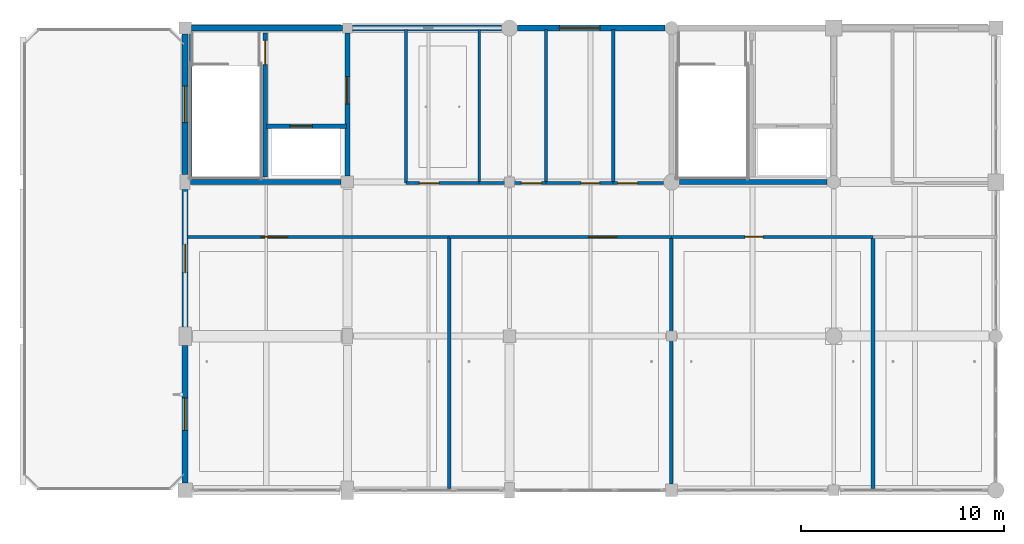
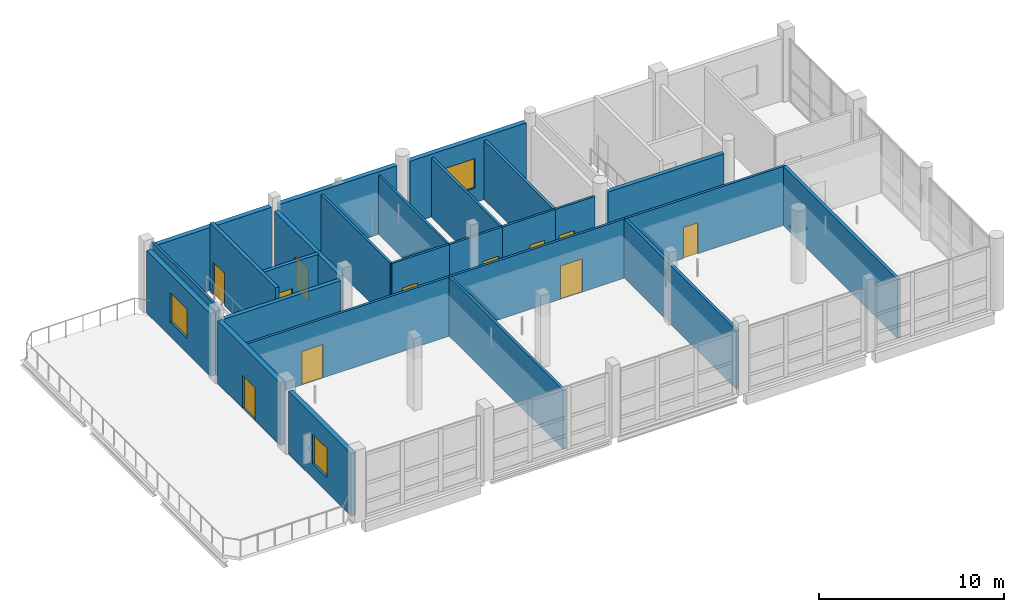
# One storey, part 12 of 18: 26 walls, 11 doors, 3 windows, 14 openings.
"""IFC4 building model written with IfcOpenShell, lengths in metres."""

from ifc_helpers import new_model, si_unit, direction, frame, frame_2d, origin, place, context, subcontext, project, spatial, rectangle, extrude, material, layer, layer_set, type_object, element, fill, save


model = new_model("IFC4")

# Units and contexts
model_context = context("Model", 3, precision=1e-05, world=origin(), true_north=direction((0.0, 1.0)))
body_context = subcontext(model_context, "Body", "Model", "MODEL_VIEW")
ifc_project = project(units=[si_unit("LENGTHUNIT", "METRE"), si_unit("AREAUNIT", "SQUARE_METRE"), si_unit("VOLUMEUNIT", "CUBIC_METRE"), si_unit("PLANEANGLEUNIT", "RADIAN"), si_unit("MASSUNIT", "GRAM", prefix="KILO")], contexts=[model_context])

# Site, building, storey
site_placement = place(None, origin())
site = spatial("IfcSite", under=ifc_project, at=site_placement, CompositionType="ELEMENT")
building_placement = place(site_placement, origin())
building = spatial("IfcBuilding", under=site, at=building_placement, Name="Khelvaren Railside Concert Hall", CompositionType="ELEMENT")
storey_placement = place(building_placement, frame((0.0, 0.0, 24.60009765625)))
storey = spatial("IfcBuildingStorey", under=building, at=storey_placement, Name="L05", CompositionType="ELEMENT", Elevation=24.60009765625)

# Walls
ifc_material_1 = material(Name="Concrete C40/50", Category="concrete")
ifc_layer_1 = layer(ifc_material_1, 0.139892578125)
ifc_layer_set_1 = layer_set([ifc_layer_1], Name="Concrete C40/50")
wall_type_1 = type_object("IfcWallType", Name="CW17", PredefinedType="SOLIDWALL", material=ifc_layer_set_1)
wall_1_placement = place(storey_placement, frame((144.27490234375, 106.550048828125, 0.0), z_axis=(0.0, 0.0, 1.0), x_axis=(0.0, 1.0, 0.0)))
element("IfcWall", 1, at=wall_1_placement, inside=storey, type_object=wall_type_1, Name="Core Shaft Structural Liner Wall ST-09-L05", PredefinedType="SOLIDWALL", context=body_context, shape_type="SweptSolid", body=[
    extrude(rectangle(XDim=7.300048828125, YDim=0.139892578125, at=frame_2d((3.64990234375, 0.0))), origin(), (0.0, 0.0, 1.0), 4.5498046875),
])
ifc_layer_2 = layer(ifc_material_1, 0.25)
ifc_layer_set_2 = layer_set([ifc_layer_2], Name="Concrete C40/50")
wall_type_2 = type_object("IfcWallType", Name="CW82", PredefinedType="SOLIDWALL", material=ifc_layer_set_2)
wall_2_placement = place(storey_placement, frame((144.25, 106.39990234375, 0.0), z_axis=(0.0, 0.0, 1.0), x_axis=(1.0, 0.0, 0.0)))
element("IfcWall", 2, at=wall_2_placement, inside=storey, type_object=wall_type_2, Name="Core Enclosure Wall CWALL-ST-09-L05-S", PredefinedType="SOLIDWALL", context=body_context, shape_type="SweptSolid", body=[
    extrude(rectangle(XDim=7.449951171875, YDim=0.25, at=frame_2d((3.72509765625, 0.0))), origin(), (0.0, 0.0, 1.0), 3.89990234375),
])

# Wall, opening, door
wall_3_placement = place(storey_placement, frame((152.0, 106.699951171875, 0.0), z_axis=(0.0, 0.0, 1.0), x_axis=(0.0, 1.0, 0.0)))
wall_3 = element("IfcWall", 3, at=wall_3_placement, inside=storey, type_object=wall_type_2, Name="Core Enclosure Wall CWALL-ST-09-L05-E", PredefinedType="SOLIDWALL", context=body_context, shape_type="SweptSolid", body=[
    extrude(rectangle(XDim=7.050048828125, YDim=0.25, at=frame_2d((3.52490234375, 0.0))), origin(), (0.0, 0.0, 1.0), 3.89990234375),
])
opening_1_placement = place(wall_3_placement, frame((3.550048828125, 0.0, 0.0)))
opening_1 = element("IfcOpeningElement", 4, at=opening_1_placement, cuts=wall_3, Name="Opening FDR34", PredefinedType="OPENING", context=body_context, shape_type="SweptSolid", body=[
    extrude(rectangle(XDim=1.35009765625, YDim=2.199951171875, at=frame_2d((0.675048828125, 1.10009765625))), frame((0.0, 0.135009765625, 0.0), z_axis=(0.0, -1.0, 0.0), x_axis=(1.0, 0.0, 0.0)), (0.0, 0.0, 1.0), 0.27001953125),
])
ifc_material_2 = material(Name="Acoustic fire-rated timber-core steel frame door", Category="steel")
door_type_1 = type_object("IfcDoorType", Name="FDR34", OperationType="NOTDEFINED", PredefinedType="DOOR", material=ifc_material_2)
door_1_placement = place(opening_1_placement, origin())
door_1 = element("IfcDoor", 5, at=door_1_placement, inside=storey, type_object=door_type_1, Name="Interior Door DR-ST-09-L05-LOB", OperationType="SINGLE_SWING_LEFT", OverallHeight=2.199951171875, OverallWidth=1.35009765625, PredefinedType="DOOR", context=body_context, shape_type="SweptSolid", body=[
    extrude(rectangle(XDim=1.35009765625, YDim=2.199951171875, at=frame_2d((0.675048828125, 1.10009765625))), frame((0.0, 0.02490234375, 0.0), z_axis=(0.0, -1.0, 0.0), x_axis=(1.0, 0.0, 0.0)), (0.0, 0.0, 1.0), 0.050048828125),
])
fill(opening_1, door_1)

# Wall
wall_4_placement = place(storey_placement, frame((168.39990234375, 106.39990234375, 0.0), z_axis=(0.0, 0.0, 1.0), x_axis=(1.0, 0.0, 0.0)))
element("IfcWall", 6, at=wall_4_placement, inside=storey, type_object=wall_type_2, Name="Core Enclosure Wall CWALL-ST-10-L05-S", PredefinedType="SOLIDWALL", context=body_context, shape_type="SweptSolid", body=[
    extrude(rectangle(XDim=7.275146484375, YDim=0.25, at=frame_2d((3.6376953125, 0.0))), origin(), (0.0, 0.0, 1.0), 3.89990234375),
])

# Wall, opening, door
ifc_layer_3 = layer(ifc_material_1, 0.219970703125)
ifc_layer_set_3 = layer_set([ifc_layer_3], Name="Concrete C40/50")
wall_type_3 = type_object("IfcWallType", Name="CW97", PredefinedType="SOLIDWALL", material=ifc_layer_set_3)
wall_5_placement = place(storey_placement, frame((147.949951171875, 106.64990234375, 0.0), z_axis=(0.0, 0.0, 1.0), x_axis=(0.0, 1.0, 0.0)))
wall_5 = element("IfcWall", 7, at=wall_5_placement, inside=storey, type_object=wall_type_3, Name="Core Enclosure Wall CWALL-ST-09-L05-MID", PredefinedType="SOLIDWALL", context=body_context, shape_type="SweptSolid", body=[
    extrude(rectangle(XDim=7.10009765625, YDim=0.219970703125, at=frame_2d((3.550048828125, 0.0))), origin(), (0.0, 0.0, 1.0), 4.5498046875),
])
opening_2_placement = place(wall_5_placement, frame((5.550048828125, 0.0, 0.0)))
opening_2 = element("IfcOpeningElement", 8, at=opening_2_placement, cuts=wall_5, Name="Opening FDR17", PredefinedType="OPENING", context=body_context, shape_type="SweptSolid", body=[
    extrude(rectangle(XDim=1.199951171875, YDim=2.14990234375, at=frame_2d((0.60009765625, 1.074951171875))), frame((0.0, 0.119873046875, 0.0), z_axis=(0.0, -1.0, 0.0), x_axis=(1.0, 0.0, 0.0)), (0.0, 0.0, 1.0), 0.239990234375),
])
door_type_2 = type_object("IfcDoorType", Name="FDR17", OperationType="NOTDEFINED", PredefinedType="DOOR", material=ifc_material_2)
door_2_placement = place(opening_2_placement, origin())
door_2 = element("IfcDoor", 9, at=door_2_placement, inside=storey, type_object=door_type_2, Name="Interior Door DR-ST-09-L05-ST", OperationType="SINGLE_SWING_RIGHT", OverallHeight=2.14990234375, OverallWidth=1.199951171875, PredefinedType="DOOR", context=body_context, shape_type="SweptSolid", body=[
    extrude(rectangle(XDim=1.199951171875, YDim=2.14990234375, at=frame_2d((0.60009765625, 1.074951171875))), frame((0.0, 0.02490234375, 0.0), z_axis=(0.0, -1.0, 0.0), x_axis=(1.0, 0.0, 0.0)), (0.0, 0.0, 1.0), 0.050048828125),
])
fill(opening_2, door_2)

wall_6_placement = place(storey_placement, frame((148.02001953125, 109.14990234375, 0.0), z_axis=(0.0, 0.0, 1.0), x_axis=(1.0, 0.0, 0.0)))
wall_6 = element("IfcWall", 10, at=wall_6_placement, inside=storey, type_object=wall_type_3, Name="Core Enclosure Wall CWALL-ST-09-L05-SHF", PredefinedType="SOLIDWALL", context=body_context, shape_type="SweptSolid", body=[
    extrude(rectangle(XDim=3.929931640625, YDim=0.219970703125, at=frame_2d((1.96484375, 0.0))), origin(), (0.0, 0.0, 1.0), 3.89990234375),
])
opening_3_placement = place(wall_6_placement, frame((1.14990234375, 0.0, 0.0)))
opening_3 = element("IfcOpeningElement", 11, at=opening_3_placement, cuts=wall_6, Name="Opening LD-FL-02", PredefinedType="OPENING", context=body_context, shape_type="SweptSolid", body=[
    extrude(rectangle(XDim=1.10009765625, YDim=2.199951171875, at=frame_2d((0.550048828125, 1.10009765625))), frame((0.0, 0.119873046875, 0.0), z_axis=(0.0, -1.0, 0.0), x_axis=(1.0, 0.0, 0.0)), (0.0, 0.0, 1.0), 0.239990234375),
])
ifc_material_3 = material(Name="Fire-rated brushed stainless steel landing door", Category="steel")
door_type_3 = type_object("IfcDoorType", Name="LD96", OperationType="DOUBLE_DOOR_SLIDING", PredefinedType="DOOR", material=ifc_material_3)
door_3_placement = place(opening_3_placement, origin())
door_3 = element("IfcDoor", 12, at=door_3_placement, inside=storey, type_object=door_type_3, Name="Lift Landing Door LD-FL-02-L05", OperationType="DOUBLE_DOOR_SLIDING", OverallHeight=2.199951171875, OverallWidth=1.10009765625, PredefinedType="DOOR", context=body_context, shape_type="SweptSolid", body=[
    extrude(rectangle(XDim=1.10009765625, YDim=2.199951171875, at=frame_2d((0.550048828125, 1.10009765625))), frame((0.0, 0.02490234375, 0.0), z_axis=(0.0, -1.0, 0.0), x_axis=(1.0, 0.0, 0.0)), (0.0, 0.0, 1.0), 0.050048828125),
])
fill(opening_3, door_3)

# Wall, opening, window
ifc_material_4 = material(Name="Board-marked architectural concrete C40/50", Category="concrete")
ifc_layer_4 = layer(ifc_material_4, 0.300048828125)
ifc_layer_set_4 = layer_set([ifc_layer_4], Name="Board-marked architectural concrete C40/50")
wall_type_4 = type_object("IfcWallType", Name="EW54", PredefinedType="SOLIDWALL", material=ifc_layer_set_4)
wall_7_placement = place(storey_placement, frame((144.0, 91.550048828125, 0.0), z_axis=(0.0, 0.0, 1.0), x_axis=(0.0, 1.0, 0.0)))
wall_7 = element("IfcWall", 13, at=wall_7_placement, inside=storey, type_object=wall_type_4, Name="V5 L05 Exterior Concrete Wall W-91", PredefinedType="SOLIDWALL", context=body_context, shape_type="SweptSolid", body=[
    extrude(rectangle(XDim=6.800048828125, YDim=0.300048828125, at=frame_2d((3.39990234375, 0.0))), origin(), (0.0, 0.0, 1.0), 4.139892578125),
])
opening_4_placement = place(wall_7_placement, frame((2.60009765625, 0.0, 0.949951171875)))
opening_4 = element("IfcOpeningElement", 14, at=opening_4_placement, cuts=wall_7, Name="Opening WN94", PredefinedType="OPENING", context=body_context, shape_type="SweptSolid", body=[
    extrude(rectangle(XDim=1.60009765625, YDim=1.949951171875, at=frame_2d((0.800048828125, 0.97509765625))), frame((0.0, 0.159912109375, 0.0), z_axis=(0.0, -1.0, 0.0), x_axis=(1.0, 0.0, 0.0)), (0.0, 0.0, 1.0), 0.320068359375),
])
ifc_material_5 = material(Name="Triple-glazed acoustic aluminium window", Category="aluminium")
window_type_1 = type_object("IfcWindowType", Name="WN94", PartitioningType="SINGLE_PANEL", PredefinedType="WINDOW", material=ifc_material_5)
window_1_placement = place(opening_4_placement, origin())
window_1 = element("IfcWindow", 15, at=window_1_placement, inside=storey, type_object=window_type_1, Name="Acoustic Facade Window EW-V5-L05-W-91", OverallHeight=1.949951171875, OverallWidth=1.60009765625, PartitioningType="SINGLE_PANEL", PredefinedType="WINDOW", context=body_context, shape_type="SweptSolid", body=[
    extrude(rectangle(XDim=1.60009765625, YDim=1.949951171875, at=frame_2d((0.800048828125, 0.97509765625))), frame((0.0, 0.030029296875, 0.0), z_axis=(0.0, -1.0, 0.0), x_axis=(1.0, 0.0, 0.0)), (0.0, 0.0, 1.0), 0.06005859375),
])
fill(opening_4, window_1)

# Wall, opening, door
wall_8_placement = place(storey_placement, frame((144.0, 99.25, 0.0), z_axis=(0.0, 0.0, 1.0), x_axis=(0.0, 1.0, 0.0)))
wall_8 = element("IfcWall", 16, at=wall_8_placement, inside=storey, type_object=wall_type_4, Name="V5 L05 Exterior Concrete Wall W-99", PredefinedType="SOLIDWALL", context=body_context, shape_type="SweptSolid", body=[
    extrude(rectangle(XDim=6.77490234375, YDim=0.300048828125, at=frame_2d((3.387451171875, 0.0))), origin(), (0.0, 0.0, 1.0), 4.139892578125),
])
opening_5_placement = place(wall_8_placement, frame((2.6875, 0.0, 0.0)))
opening_5 = element("IfcOpeningElement", 17, at=opening_5_placement, cuts=wall_8, Name="Opening TDR61", PredefinedType="OPENING", context=body_context, shape_type="SweptSolid", body=[
    extrude(rectangle(XDim=1.39990234375, YDim=2.199951171875, at=frame_2d((0.699951171875, 1.10009765625))), frame((0.0, 0.159912109375, 0.0), z_axis=(0.0, -1.0, 0.0), x_axis=(1.0, 0.0, 0.0)), (0.0, 0.0, 1.0), 0.320068359375),
])
ifc_material_6 = material(Name="Glazed thermally broken terrace door", Category="aluminium")
door_type_4 = type_object("IfcDoorType", Name="TDR61", OperationType="NOTDEFINED", PredefinedType="DOOR", material=ifc_material_6)
door_4_placement = place(opening_5_placement, origin())
door_4 = element("IfcDoor", 18, at=door_4_placement, inside=storey, type_object=door_type_4, Name="V5 L05 Outdoor Terrace Access Door", OperationType="SINGLE_SWING_RIGHT", OverallHeight=2.199951171875, OverallWidth=1.39990234375, PredefinedType="DOOR", context=body_context, shape_type="SweptSolid", body=[
    extrude(rectangle(XDim=1.39990234375, YDim=2.199951171875, at=frame_2d((0.699951171875, 1.10009765625))), frame((0.0, 0.02490234375, 0.0), z_axis=(0.0, -1.0, 0.0), x_axis=(1.0, 0.0, 0.0)), (0.0, 0.0, 1.0), 0.050048828125),
])
fill(opening_5, door_4)

# Wall, opening, window
wall_9_placement = place(storey_placement, frame((144.0, 106.77490234375, 0.0), z_axis=(0.0, 0.0, 1.0), x_axis=(0.0, 1.0, 0.0)))
wall_9 = element("IfcWall", 19, at=wall_9_placement, inside=storey, type_object=wall_type_4, Name="V5 L05 Exterior Concrete Wall W-106", PredefinedType="SOLIDWALL", context=body_context, shape_type="SweptSolid", body=[
    extrude(rectangle(XDim=6.925048828125, YDim=0.300048828125, at=frame_2d((3.46240234375, 0.0))), origin(), (0.0, 0.0, 1.0), 4.139892578125),
])
opening_6_placement = place(wall_9_placement, frame((2.5625, 0.0, 0.949951171875)))
opening_6 = element("IfcOpeningElement", 20, at=opening_6_placement, cuts=wall_9, Name="Opening WN45", PredefinedType="OPENING", context=body_context, shape_type="SweptSolid", body=[
    extrude(rectangle(XDim=1.800048828125, YDim=1.949951171875, at=frame_2d((0.89990234375, 0.97509765625))), frame((0.0, 0.159912109375, 0.0), z_axis=(0.0, -1.0, 0.0), x_axis=(1.0, 0.0, 0.0)), (0.0, 0.0, 1.0), 0.320068359375),
])
window_type_2 = type_object("IfcWindowType", Name="WN45", PartitioningType="DOUBLE_PANEL_VERTICAL", PredefinedType="WINDOW", material=ifc_material_5)
window_2_placement = place(opening_6_placement, origin())
window_2 = element("IfcWindow", 21, at=window_2_placement, inside=storey, type_object=window_type_2, Name="Acoustic Facade Window EW-V5-L05-W-106", OverallHeight=1.949951171875, OverallWidth=1.800048828125, PartitioningType="DOUBLE_PANEL_VERTICAL", PredefinedType="WINDOW", context=body_context, shape_type="SweptSolid", body=[
    extrude(rectangle(XDim=1.800048828125, YDim=1.949951171875, at=frame_2d((0.89990234375, 0.97509765625))), frame((0.0, 0.030029296875, 0.0), z_axis=(0.0, -1.0, 0.0), x_axis=(1.0, 0.0, 0.0)), (0.0, 0.0, 1.0), 0.06005859375),
])
fill(opening_6, window_2)

# Walls
wall_10_placement = place(storey_placement, frame((144.300048828125, 114.0, 0.0), z_axis=(0.0, 0.0, 1.0), x_axis=(1.0, 0.0, 0.0)))
element("IfcWall", 22, at=wall_10_placement, inside=storey, type_object=wall_type_4, Name="V5 L05 Exterior Concrete Wall N-144", PredefinedType="SOLIDWALL", context=body_context, shape_type="SweptSolid", body=[
    extrude(rectangle(XDim=7.449951171875, YDim=0.300048828125, at=frame_2d((3.72509765625, 0.0))), origin(), (0.0, 0.0, 1.0), 4.139892578125),
])
wall_11_placement = place(storey_placement, frame((152.25, 114.0, 0.0), z_axis=(0.0, 0.0, 1.0), x_axis=(1.0, 0.0, 0.0)))
element("IfcWall", 23, at=wall_11_placement, inside=storey, type_object=wall_type_4, Name="V5 L05 Exterior Concrete Wall N-152", PredefinedType="SOLIDWALL", context=body_context, shape_type="SweptSolid", body=[
    extrude(rectangle(XDim=7.35009765625, YDim=0.300048828125, at=frame_2d((3.675048828125, 0.0))), origin(), (0.0, 0.0, 1.0), 4.139892578125),
])

# Wall, opening, window
wall_12_placement = place(storey_placement, frame((160.39990234375, 114.0, 0.0), z_axis=(0.0, 0.0, 1.0), x_axis=(1.0, 0.0, 0.0)))
wall_12 = element("IfcWall", 24, at=wall_12_placement, inside=storey, type_object=wall_type_4, Name="V5 L05 Exterior Concrete Wall N-160", PredefinedType="SOLIDWALL", context=body_context, shape_type="SweptSolid", body=[
    extrude(rectangle(XDim=7.275146484375, YDim=0.300048828125, at=frame_2d((3.6376953125, 0.0))), origin(), (0.0, 0.0, 1.0), 4.139892578125),
])
opening_7_placement = place(wall_12_placement, frame((2.0634765625, 0.0, 0.949951171875)))
opening_7 = element("IfcOpeningElement", 25, at=opening_7_placement, cuts=wall_12, Name="Opening WN46", PredefinedType="OPENING", context=body_context, shape_type="SweptSolid", body=[
    extrude(rectangle(XDim=2.0, YDim=1.949951171875, at=frame_2d((1.0, 0.97509765625))), frame((0.0, 0.159912109375, 0.0), z_axis=(0.0, -1.0, 0.0), x_axis=(1.0, 0.0, 0.0)), (0.0, 0.0, 1.0), 0.320068359375),
])
window_type_3 = type_object("IfcWindowType", Name="WN46", PartitioningType="DOUBLE_PANEL_VERTICAL", PredefinedType="WINDOW", material=ifc_material_5)
window_3_placement = place(opening_7_placement, origin())
window_3 = element("IfcWindow", 26, at=window_3_placement, inside=storey, type_object=window_type_3, Name="Acoustic Facade Window EW-V5-L05-N-160", OverallHeight=1.949951171875, OverallWidth=2.0, PartitioningType="DOUBLE_PANEL_VERTICAL", PredefinedType="WINDOW", context=body_context, shape_type="SweptSolid", body=[
    extrude(rectangle(XDim=2.0, YDim=1.949951171875, at=frame_2d((1.0, 0.97509765625))), frame((0.0, 0.030029296875, 0.0), z_axis=(0.0, -1.0, 0.0), x_axis=(1.0, 0.0, 0.0)), (0.0, 0.0, 1.0), 0.06005859375),
])
fill(opening_7, window_3)

# Walls
ifc_material_7 = material(Name="Acoustic double-stud gypsum partition", Category="gypsum")
ifc_layer_5 = layer(ifc_material_7, 0.1298828125)
ifc_layer_set_5 = layer_set([ifc_layer_5], Name="Acoustic double-stud gypsum partition")
wall_type_5 = type_object("IfcWallType", Name="PT31", PredefinedType="PARTITIONING", material=ifc_layer_set_5)
wall_13_placement = place(storey_placement, frame((158.506103515625, 106.35009765625, 0.0), z_axis=(0.0, 0.0, 1.0), x_axis=(0.0, 1.0, 0.0)))
element("IfcWall", 27, at=wall_13_placement, inside=storey, type_object=wall_type_5, Name="Acoustic Partition Wall PW-V5-L05-N-D01", PredefinedType="PARTITIONING", context=body_context, shape_type="SweptSolid", body=[
    extrude(rectangle(XDim=7.56982421875, YDim=0.1298828125, at=frame_2d((3.784912109375, 0.0))), origin(), (0.0, 0.0, 1.0), 3.89990234375),
])
ifc_layer_6 = layer(ifc_material_7, 0.179931640625)
ifc_layer_set_6 = layer_set([ifc_layer_6], Name="Acoustic double-stud gypsum partition")
wall_type_6 = type_object("IfcWallType", Name="PT53", PredefinedType="PARTITIONING", material=ifc_layer_set_6)
wall_14_placement = place(storey_placement, frame((167.98388671875, 91.5, 0.0), z_axis=(0.0, 0.0, 1.0), x_axis=(0.0, 1.0, 0.0)))
element("IfcWall", 28, at=wall_14_placement, inside=storey, type_object=wall_type_6, Name="Acoustic Partition Wall PW-V5-L05-S-D02", PredefinedType="PARTITIONING", context=body_context, shape_type="SweptSolid", body=[
    extrude(rectangle(XDim=12.199951171875, YDim=0.179931640625, at=frame_2d((6.10009765625, 0.0))), origin(), (0.0, 0.0, 1.0), 3.89990234375),
])

# Wall, opening, door
ifc_layer_7 = layer(ifc_material_7, 0.139892578125)
ifc_layer_set_7 = layer_set([ifc_layer_7], Name="Acoustic double-stud gypsum partition")
wall_type_7 = type_object("IfcWallType", Name="PT55", PredefinedType="PARTITIONING", material=ifc_layer_set_7)
wall_15_placement = place(storey_placement, frame((154.89990234375, 106.35009765625, 0.0), z_axis=(0.0, 0.0, 1.0), x_axis=(1.0, 0.0, 0.0)))
wall_15 = element("IfcWall", 29, at=wall_15_placement, inside=storey, type_object=wall_type_7, Name="Acoustic Partition Wall PW-V5-L05-N-C01", PredefinedType="PARTITIONING", context=body_context, shape_type="SweptSolid", body=[
    extrude(rectangle(XDim=3.606201171875, YDim=0.139892578125, at=frame_2d((1.80322265625, 0.0))), origin(), (0.0, 0.0, 1.0), 3.89990234375),
])
opening_8_placement = place(wall_15_placement, frame((0.6533203125, 0.0, 0.0)))
opening_8 = element("IfcOpeningElement", 30, at=opening_8_placement, cuts=wall_15, Name="Opening IDR50", PredefinedType="OPENING", context=body_context, shape_type="SweptSolid", body=[
    extrude(rectangle(XDim=0.9599609375, YDim=2.050048828125, at=frame_2d((0.47998046875, 1.02490234375))), frame((0.0, 0.079833984375, 0.0), z_axis=(0.0, -1.0, 0.0), x_axis=(1.0, 0.0, 0.0)), (0.0, 0.0, 1.0), 0.159912109375),
])
ifc_material_8 = material(Name="Solid oak acoustic studio door", Category="wood")
door_type_5 = type_object("IfcDoorType", Name="IDR50", OperationType="NOTDEFINED", PredefinedType="DOOR", material=ifc_material_8)
door_5_placement = place(opening_8_placement, origin())
door_5 = element("IfcDoor", 31, at=door_5_placement, inside=storey, type_object=door_type_5, Name="Interior Door DR-V5-L05-N-01", OperationType="SINGLE_SWING_RIGHT", OverallHeight=2.050048828125, OverallWidth=0.9599609375, PredefinedType="DOOR", context=body_context, shape_type="SweptSolid", body=[
    extrude(rectangle(XDim=0.9599609375, YDim=2.050048828125, at=frame_2d((0.47998046875, 1.02490234375))), frame((0.0, 0.02490234375, 0.0), z_axis=(0.0, -1.0, 0.0), x_axis=(1.0, 0.0, 0.0)), (0.0, 0.0, 1.0), 0.050048828125),
])
fill(opening_8, door_5)

wall_16_placement = place(storey_placement, frame((158.506103515625, 106.35009765625, 0.0), z_axis=(0.0, 0.0, 1.0), x_axis=(1.0, 0.0, 0.0)))
wall_16 = element("IfcWall", 32, at=wall_16_placement, inside=storey, type_object=wall_type_7, Name="Acoustic Partition Wall PW-V5-L05-N-C02", PredefinedType="PARTITIONING", context=body_context, shape_type="SweptSolid", body=[
    extrude(rectangle(XDim=3.304931640625, YDim=0.139892578125, at=frame_2d((1.65234375, 0.0))), origin(), (0.0, 0.0, 1.0), 3.89990234375),
])
opening_9_placement = place(wall_16_placement, frame((2.0849609375, 0.0, 0.0)))
opening_9 = element("IfcOpeningElement", 33, at=opening_9_placement, cuts=wall_16, Name="Opening IDR21", PredefinedType="OPENING", context=body_context, shape_type="SweptSolid", body=[
    extrude(rectangle(XDim=1.0, YDim=2.050048828125, at=frame_2d((0.5, 1.02490234375))), frame((0.0, 0.079833984375, 0.0), z_axis=(0.0, -1.0, 0.0), x_axis=(1.0, 0.0, 0.0)), (0.0, 0.0, 1.0), 0.159912109375),
])
door_type_6 = type_object("IfcDoorType", Name="IDR21", OperationType="NOTDEFINED", PredefinedType="DOOR", material=ifc_material_8)
door_6_placement = place(opening_9_placement, origin())
door_6 = element("IfcDoor", 34, at=door_6_placement, inside=storey, type_object=door_type_6, Name="Interior Door DR-V5-L05-N-02", OperationType="SINGLE_SWING_LEFT", OverallHeight=2.050048828125, OverallWidth=1.0, PredefinedType="DOOR", context=body_context, shape_type="SweptSolid", body=[
    extrude(rectangle(XDim=1.0, YDim=2.050048828125, at=frame_2d((0.5, 1.02490234375))), frame((0.0, 0.02490234375, 0.0), z_axis=(0.0, -1.0, 0.0), x_axis=(1.0, 0.0, 0.0)), (0.0, 0.0, 1.0), 0.050048828125),
])
fill(opening_9, door_6)

wall_17_placement = place(storey_placement, frame((161.81103515625, 106.35009765625, 0.0), z_axis=(0.0, 0.0, 1.0), x_axis=(1.0, 0.0, 0.0)))
wall_17 = element("IfcWall", 35, at=wall_17_placement, inside=storey, type_object=wall_type_7, Name="Acoustic Partition Wall PW-V5-L05-N-C03", PredefinedType="PARTITIONING", context=body_context, shape_type="SweptSolid", body=[
    extrude(rectangle(XDim=3.304931640625, YDim=0.139892578125, at=frame_2d((1.65234375, 0.0))), origin(), (0.0, 0.0, 1.0), 3.89990234375),
])
opening_10_placement = place(wall_17_placement, frame((1.7119140625, 0.0, 0.0)))
opening_10 = element("IfcOpeningElement", 36, at=opening_10_placement, cuts=wall_17, Name="Opening IDR30", PredefinedType="OPENING", context=body_context, shape_type="SweptSolid", body=[
    extrude(rectangle(XDim=0.929931640625, YDim=2.10009765625, at=frame_2d((0.46484375, 1.050048828125))), frame((0.0, 0.079833984375, 0.0), z_axis=(0.0, -1.0, 0.0), x_axis=(1.0, 0.0, 0.0)), (0.0, 0.0, 1.0), 0.159912109375),
])
door_type_7 = type_object("IfcDoorType", Name="IDR30", OperationType="NOTDEFINED", PredefinedType="DOOR", material=ifc_material_8)
door_7_placement = place(opening_10_placement, origin())
door_7 = element("IfcDoor", 37, at=door_7_placement, inside=storey, type_object=door_type_7, Name="Interior Door DR-V5-L05-N-03", OperationType="SINGLE_SWING_RIGHT", OverallHeight=2.10009765625, OverallWidth=0.929931640625, PredefinedType="DOOR", context=body_context, shape_type="SweptSolid", body=[
    extrude(rectangle(XDim=0.929931640625, YDim=2.10009765625, at=frame_2d((0.46484375, 1.050048828125))), frame((0.0, 0.02490234375, 0.0), z_axis=(0.0, -1.0, 0.0), x_axis=(1.0, 0.0, 0.0)), (0.0, 0.0, 1.0), 0.050048828125),
])
fill(opening_10, door_7)

wall_18_placement = place(storey_placement, frame((165.115966796875, 106.35009765625, 0.0), z_axis=(0.0, 0.0, 1.0), x_axis=(1.0, 0.0, 0.0)))
wall_18 = element("IfcWall", 38, at=wall_18_placement, inside=storey, type_object=wall_type_7, Name="Acoustic Partition Wall PW-V5-L05-N-C04", PredefinedType="PARTITIONING", context=body_context, shape_type="SweptSolid", body=[
    extrude(rectangle(XDim=2.484130859375, YDim=0.139892578125, at=frame_2d((1.2421875, 0.0))), origin(), (0.0, 0.0, 1.0), 3.89990234375),
])
opening_11_placement = place(wall_18_placement, frame((0.219970703125, 0.0, 0.0)))
opening_11 = element("IfcOpeningElement", 39, at=opening_11_placement, cuts=wall_18, Name="Opening IDR79", PredefinedType="OPENING", context=body_context, shape_type="SweptSolid", body=[
    extrude(rectangle(XDim=0.989990234375, YDim=2.10009765625, at=frame_2d((0.4951171875, 1.050048828125))), frame((0.0, 0.079833984375, 0.0), z_axis=(0.0, -1.0, 0.0), x_axis=(1.0, 0.0, 0.0)), (0.0, 0.0, 1.0), 0.159912109375),
])
door_type_8 = type_object("IfcDoorType", Name="IDR79", OperationType="NOTDEFINED", PredefinedType="DOOR", material=ifc_material_8)
door_8_placement = place(opening_11_placement, origin())
door_8 = element("IfcDoor", 40, at=door_8_placement, inside=storey, type_object=door_type_8, Name="Interior Door DR-V5-L05-N-04", OperationType="SINGLE_SWING_LEFT", OverallHeight=2.10009765625, OverallWidth=0.989990234375, PredefinedType="DOOR", context=body_context, shape_type="SweptSolid", body=[
    extrude(rectangle(XDim=0.989990234375, YDim=2.10009765625, at=frame_2d((0.4951171875, 1.050048828125))), frame((0.0, 0.02490234375, 0.0), z_axis=(0.0, -1.0, 0.0), x_axis=(1.0, 0.0, 0.0)), (0.0, 0.0, 1.0), 0.050048828125),
])
fill(opening_11, door_8)

# Walls
wall_19_placement = place(storey_placement, frame((154.89990234375, 106.35009765625, 0.0), z_axis=(0.0, 0.0, 1.0), x_axis=(0.0, 1.0, 0.0)))
element("IfcWall", 41, at=wall_19_placement, inside=storey, type_object=wall_type_7, Name="Acoustic Partition Wall PW-V5-L05-N-W0", PredefinedType="PARTITIONING", context=body_context, shape_type="SweptSolid", body=[
    extrude(rectangle(XDim=7.56982421875, YDim=0.139892578125, at=frame_2d((3.784912109375, 0.0))), origin(), (0.0, 0.0, 1.0), 3.89990234375),
])
ifc_layer_8 = layer(ifc_material_7, 0.14990234375)
ifc_layer_set_8 = layer_set([ifc_layer_8], Name="Acoustic double-stud gypsum partition")
wall_type_8 = type_object("IfcWallType", Name="PT66", PredefinedType="PARTITIONING", material=ifc_layer_set_8)
wall_20_placement = place(storey_placement, frame((161.81103515625, 106.35009765625, 0.0), z_axis=(0.0, 0.0, 1.0), x_axis=(0.0, 1.0, 0.0)))
element("IfcWall", 42, at=wall_20_placement, inside=storey, type_object=wall_type_8, Name="Acoustic Partition Wall PW-V5-L05-N-D02", PredefinedType="PARTITIONING", context=body_context, shape_type="SweptSolid", body=[
    extrude(rectangle(XDim=7.56982421875, YDim=0.14990234375, at=frame_2d((3.784912109375, 0.0))), origin(), (0.0, 0.0, 1.0), 3.89990234375),
])

# Wall, opening, door
ifc_layer_9 = layer(ifc_material_7, 0.14990234375)
ifc_layer_set_9 = layer_set([ifc_layer_9], Name="Acoustic double-stud gypsum partition")
wall_type_9 = type_object("IfcWallType", Name="PT72", PredefinedType="PARTITIONING", material=ifc_layer_set_9)
wall_21_placement = place(storey_placement, frame((144.080078125, 103.699951171875, 0.0), z_axis=(0.0, 0.0, 1.0), x_axis=(1.0, 0.0, 0.0)))
wall_21 = element("IfcWall", 43, at=wall_21_placement, inside=storey, type_object=wall_type_9, Name="Acoustic Partition Wall PW-V5-L05-S-C01", PredefinedType="PARTITIONING", context=body_context, shape_type="SweptSolid", body=[
    extrude(rectangle(XDim=12.947998046875, YDim=0.14990234375, at=frame_2d((6.47412109375, 0.0))), origin(), (0.0, 0.0, 1.0), 3.89990234375),
])
opening_12_placement = place(wall_21_placement, frame((3.67236328125, 0.0, 0.0)))
opening_12 = element("IfcOpeningElement", 44, at=opening_12_placement, cuts=wall_21, Name="Opening IDR18", PredefinedType="OPENING", context=body_context, shape_type="SweptSolid", body=[
    extrude(rectangle(XDim=1.300048828125, YDim=2.199951171875, at=frame_2d((0.64990234375, 1.10009765625))), frame((0.0, 0.0849609375, 0.0), z_axis=(0.0, -1.0, 0.0), x_axis=(1.0, 0.0, 0.0)), (0.0, 0.0, 1.0), 0.169921875),
])
door_type_9 = type_object("IfcDoorType", Name="IDR18", OperationType="NOTDEFINED", PredefinedType="DOOR", material=ifc_material_8)
door_9_placement = place(opening_12_placement, origin())
door_9 = element("IfcDoor", 45, at=door_9_placement, inside=storey, type_object=door_type_9, Name="Interior Door DR-V5-L05-S-01", OperationType="SINGLE_SWING_RIGHT", OverallHeight=2.199951171875, OverallWidth=1.300048828125, PredefinedType="DOOR", context=body_context, shape_type="SweptSolid", body=[
    extrude(rectangle(XDim=1.300048828125, YDim=2.199951171875, at=frame_2d((0.64990234375, 1.10009765625))), frame((0.0, 0.02490234375, 0.0), z_axis=(0.0, -1.0, 0.0), x_axis=(1.0, 0.0, 0.0)), (0.0, 0.0, 1.0), 0.050048828125),
])
fill(opening_12, door_9)

wall_22_placement = place(storey_placement, frame((157.028076171875, 103.699951171875, 0.0), z_axis=(0.0, 0.0, 1.0), x_axis=(1.0, 0.0, 0.0)))
wall_22 = element("IfcWall", 46, at=wall_22_placement, inside=storey, type_object=wall_type_9, Name="Acoustic Partition Wall PW-V5-L05-S-C02", PredefinedType="PARTITIONING", context=body_context, shape_type="SweptSolid", body=[
    extrude(rectangle(XDim=10.955810546875, YDim=0.14990234375, at=frame_2d((5.47802734375, 0.0))), origin(), (0.0, 0.0, 1.0), 3.89990234375),
])
opening_13_placement = place(wall_22_placement, frame((6.881103515625, 0.0, 0.0)))
opening_13 = element("IfcOpeningElement", 47, at=opening_13_placement, cuts=wall_22, Name="Opening IDR82", PredefinedType="OPENING", context=body_context, shape_type="SweptSolid", body=[
    extrude(rectangle(XDim=1.3798828125, YDim=2.199951171875, at=frame_2d((0.68994140625, 1.10009765625))), frame((0.0, 0.0849609375, 0.0), z_axis=(0.0, -1.0, 0.0), x_axis=(1.0, 0.0, 0.0)), (0.0, 0.0, 1.0), 0.169921875),
])
door_type_10 = type_object("IfcDoorType", Name="IDR82", OperationType="NOTDEFINED", PredefinedType="DOOR", material=ifc_material_8)
door_10_placement = place(opening_13_placement, origin())
door_10 = element("IfcDoor", 48, at=door_10_placement, inside=storey, type_object=door_type_10, Name="Interior Door DR-V5-L05-S-02", OperationType="SINGLE_SWING_LEFT", OverallHeight=2.199951171875, OverallWidth=1.3798828125, PredefinedType="DOOR", context=body_context, shape_type="SweptSolid", body=[
    extrude(rectangle(XDim=1.3798828125, YDim=2.199951171875, at=frame_2d((0.68994140625, 1.10009765625))), frame((0.0, 0.02490234375, 0.0), z_axis=(0.0, -1.0, 0.0), x_axis=(1.0, 0.0, 0.0)), (0.0, 0.0, 1.0), 0.050048828125),
])
fill(opening_13, door_10)

wall_23_placement = place(storey_placement, frame((167.98388671875, 103.699951171875, 0.0), z_axis=(0.0, 0.0, 1.0), x_axis=(1.0, 0.0, 0.0)))
wall_23 = element("IfcWall", 49, at=wall_23_placement, inside=storey, type_object=wall_type_9, Name="Acoustic Partition Wall PW-V5-L05-S-C03", PredefinedType="PARTITIONING", context=body_context, shape_type="SweptSolid", body=[
    extrude(rectangle(XDim=9.960205078125, YDim=0.14990234375, at=frame_2d((4.97998046875, 0.0))), origin(), (0.0, 0.0, 1.0), 3.89990234375),
])
opening_14_placement = place(wall_23_placement, frame((3.6279296875, 0.0, 0.0)))
opening_14 = element("IfcOpeningElement", 50, at=opening_14_placement, cuts=wall_23, Name="Opening IDR59", PredefinedType="OPENING", context=body_context, shape_type="SweptSolid", body=[
    extrude(rectangle(XDim=0.89990234375, YDim=2.050048828125, at=frame_2d((0.449951171875, 1.02490234375))), frame((0.0, 0.0849609375, 0.0), z_axis=(0.0, -1.0, 0.0), x_axis=(1.0, 0.0, 0.0)), (0.0, 0.0, 1.0), 0.169921875),
])
door_type_11 = type_object("IfcDoorType", Name="IDR59", OperationType="NOTDEFINED", PredefinedType="DOOR", material=ifc_material_8)
door_11_placement = place(opening_14_placement, origin())
door_11 = element("IfcDoor", 51, at=door_11_placement, inside=storey, type_object=door_type_11, Name="Interior Door DR-V5-L05-S-03", OperationType="SINGLE_SWING_RIGHT", OverallHeight=2.050048828125, OverallWidth=0.89990234375, PredefinedType="DOOR", context=body_context, shape_type="SweptSolid", body=[
    extrude(rectangle(XDim=0.89990234375, YDim=2.050048828125, at=frame_2d((0.449951171875, 1.02490234375))), frame((0.0, 0.02490234375, 0.0), z_axis=(0.0, -1.0, 0.0), x_axis=(1.0, 0.0, 0.0)), (0.0, 0.0, 1.0), 0.050048828125),
])
fill(opening_14, door_11)

# Walls
ifc_layer_10 = layer(ifc_material_7, 0.199951171875)
ifc_layer_set_10 = layer_set([ifc_layer_10], Name="Acoustic double-stud gypsum partition")
wall_type_10 = type_object("IfcWallType", Name="PT75", PredefinedType="PARTITIONING", material=ifc_layer_set_10)
wall_24_placement = place(storey_placement, frame((177.944091796875, 91.280029296875, 0.0), z_axis=(0.0, 0.0, 1.0), x_axis=(0.0, 1.0, 0.0)))
element("IfcWall", 52, at=wall_24_placement, inside=storey, type_object=wall_type_10, Name="Acoustic Partition Wall PW-V5-L05-S-D03", PredefinedType="PARTITIONING", context=body_context, shape_type="SweptSolid", body=[
    extrude(rectangle(XDim=12.419921875, YDim=0.199951171875, at=frame_2d((6.2099609375, 0.0))), origin(), (0.0, 0.0, 1.0), 3.89990234375),
])
ifc_layer_11 = layer(ifc_material_7, 0.169921875)
ifc_layer_set_11 = layer_set([ifc_layer_11], Name="Acoustic double-stud gypsum partition")
wall_type_11 = type_object("IfcWallType", Name="PT94", PredefinedType="PARTITIONING", material=ifc_layer_set_11)
wall_25_placement = place(storey_placement, frame((165.115966796875, 106.35009765625, 0.0), z_axis=(0.0, 0.0, 1.0), x_axis=(0.0, 1.0, 0.0)))
element("IfcWall", 53, at=wall_25_placement, inside=storey, type_object=wall_type_11, Name="Acoustic Partition Wall PW-V5-L05-N-D03", PredefinedType="PARTITIONING", context=body_context, shape_type="SweptSolid", body=[
    extrude(rectangle(XDim=7.56982421875, YDim=0.169921875, at=frame_2d((3.784912109375, 0.0))), origin(), (0.0, 0.0, 1.0), 3.89990234375),
])
ifc_layer_12 = layer(ifc_material_7, 0.159912109375)
ifc_layer_set_12 = layer_set([ifc_layer_12], Name="Acoustic double-stud gypsum partition")
wall_type_12 = type_object("IfcWallType", Name="PT97", PredefinedType="PARTITIONING", material=ifc_layer_set_12)
wall_26_placement = place(storey_placement, frame((157.028076171875, 91.280029296875, 0.0), z_axis=(0.0, 0.0, 1.0), x_axis=(0.0, 1.0, 0.0)))
element("IfcWall", 54, at=wall_26_placement, inside=storey, type_object=wall_type_12, Name="Acoustic Partition Wall PW-V5-L05-S-D01", PredefinedType="PARTITIONING", context=body_context, shape_type="SweptSolid", body=[
    extrude(rectangle(XDim=12.419921875, YDim=0.159912109375, at=frame_2d((6.2099609375, 0.0))), origin(), (0.0, 0.0, 1.0), 3.89990234375),
])

save(model, "model.ifc")
